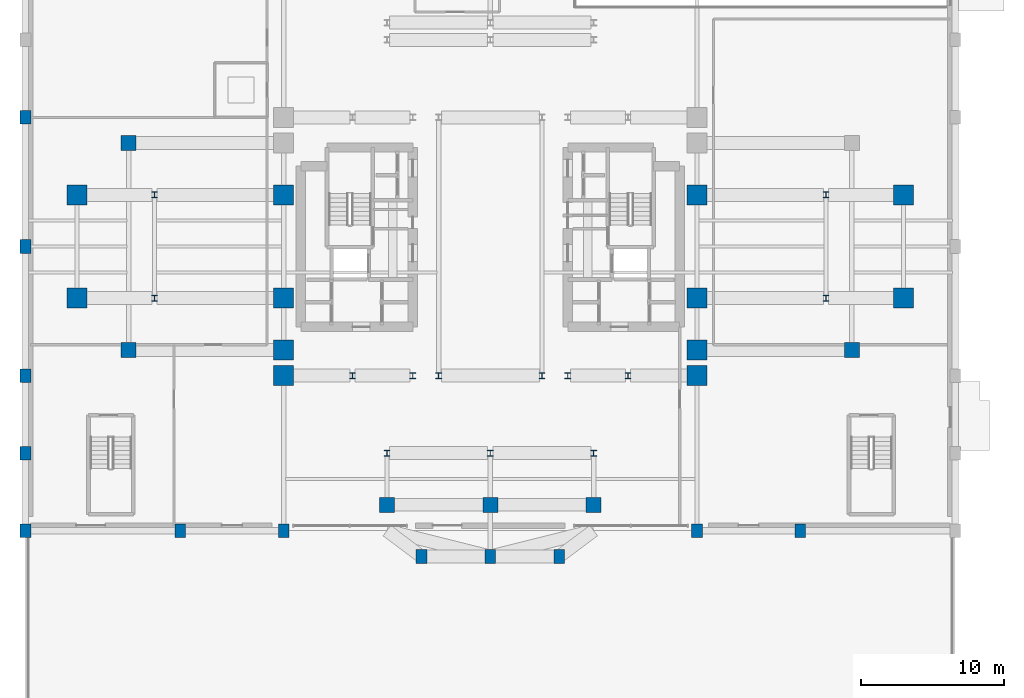
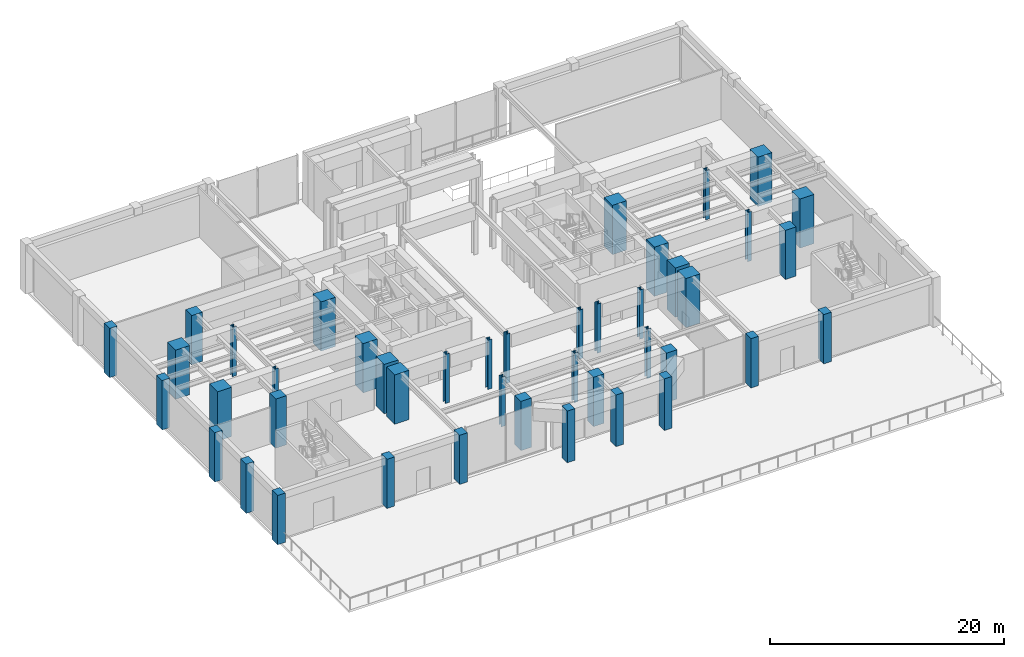
# One storey, part 1 of 17: 43 columns.
"""IFC4 building model written with IfcOpenShell, lengths in metres."""

from ifc_helpers import new_model, si_unit, direction, frame, origin, origin_2d, place, context, subcontext, project, spatial, rectangle, i_section, extrude, source, transform, mapped, material, material_profile, profile_set, type_object, element, save


model = new_model("IFC4")

# Units and contexts
model_context = context("Model", 3, precision=1e-05, world=origin(), true_north=direction((0.0, 1.0)))
body_context = subcontext(model_context, "Body", "Model", "MODEL_VIEW")
ifc_project = project(units=[si_unit("LENGTHUNIT", "METRE"), si_unit("AREAUNIT", "SQUARE_METRE"), si_unit("VOLUMEUNIT", "CUBIC_METRE"), si_unit("PLANEANGLEUNIT", "RADIAN"), si_unit("MASSUNIT", "GRAM", prefix="KILO")], contexts=[model_context])

# Site, building, storey
site_placement = place(None, origin())
site = spatial("IfcSite", under=ifc_project, at=site_placement, CompositionType="ELEMENT")
building_placement = place(site_placement, origin())
building = spatial("IfcBuilding", under=site, at=building_placement, Name="Keilestroom Media Tower", CompositionType="ELEMENT")
storey_placement = place(building_placement, origin())
storey = spatial("IfcBuildingStorey", under=building, at=storey_placement, Name="L00", CompositionType="ELEMENT", Elevation=0.0)

# Columns
ifc_material_1 = material(Name="Precast concrete C40/50", Category="concrete")
ifc_material_profile_1 = material_profile(ifc_material_1, rectangle(XDim=0.75, YDim=0.949951171875, at=origin_2d()), Name="PC 950x750")
ifc_profile_set_1 = profile_set([ifc_material_profile_1], Name="Precast concrete C40/50")
column_type_1 = type_object("IfcColumnType", Name="Structural-Column-PC-950x750", PredefinedType="COLUMN", material=ifc_profile_set_1)
shared_shape_1 = source(origin(), body_context, "Body", "SweptSolid", [
    extrude(rectangle(XDim=0.75, YDim=0.949951171875, at=origin_2d()), origin(), (0.0, 0.0, 1.0), 5.14990234375),
])
for number, where, z_axis, x_axis, name in (
    (1, (-32.39990234375, -19.800048828125, 0.0), (0.0, 0.0, 1.0), (1.0, 0.0, 0.0), "L00 Column PC-1 (-32.4,-19.8)"),
    (2, (-32.39990234375, -14.39990234375, 0.0), (0.0, 0.0, 1.0), (1.0, 0.0, 0.0), "L00 Column PC-1 (-32.4,-14.4)"),
    (3, (-32.39990234375, -9.0, 0.0), (0.0, 0.0, 1.0), (1.0, 0.0, 0.0), "L00 Column PC-1 (-32.4,-9.0)"),
    (4, (-32.39990234375, 0.0, 0.0), (0.0, 0.0, 1.0), (1.0, 0.0, 0.0), "L00 Column PC-1 (-32.4,+0.0)"),
    (5, (-32.39990234375, 9.0, 0.0), (0.0, 0.0, 1.0), (1.0, 0.0, 0.0), "L00 Column PC-1 (-32.4,+9.0)"),
    (6, (-21.60009765625, -19.800048828125, 0.0), (0.0, 0.0, 1.0), (1.0, 0.0, 0.0), "L00 Column PC-1 (-21.6,-19.8)"),
    (7, (-14.39990234375, -19.800048828125, 0.0), (0.0, 0.0, 1.0), (1.0, 0.0, 0.0), "L00 Column PC-1 (-14.4,-19.8)"),
    (8, (14.39990234375, -19.800048828125, 0.0), (0.0, 0.0, 1.0), (1.0, 0.0, 0.0), "L00 Column PC-1 (+14.4,-19.8)"),
    (9, (21.60009765625, -19.800048828125, 0.0), (0.0, 0.0, 1.0), (1.0, 0.0, 0.0), "L00 Column PC-1 (+21.6,-19.8)"),
):
    element("IfcColumn", number, at=place(storey_placement, frame(where, z_axis=z_axis, x_axis=x_axis)), inside=storey, type_object=column_type_1, Name=name, PredefinedType="COLUMN", context=body_context, shape_type="MappedRepresentation", body=[
        mapped(shared_shape_1, transform((0.0, 0.0, 0.0), x_axis=(1.0, 0.0, 0.0), y_axis=(0.0, 1.0, 0.0), z_axis=(0.0, 0.0, 1.0), scale=1.0)),
    ])
ifc_material_2 = material(Name="Concrete C70/85", Category="concrete")
ifc_material_profile_2 = material_profile(ifc_material_2, rectangle(XDim=1.39990234375, YDim=1.39990234375, at=origin_2d()), Name="RC 1400x1400")
ifc_profile_set_2 = profile_set([ifc_material_profile_2], Name="Concrete C70/85")
column_type_2 = type_object("IfcColumnType", Name="Structural-Column-RC-1400x1400", PredefinedType="COLUMN", material=ifc_profile_set_2)
shared_shape_2 = source(origin(), body_context, "Body", "SweptSolid", [
    extrude(rectangle(XDim=1.39990234375, YDim=1.39990234375, at=origin_2d()), origin(), (0.0, 0.0, 1.0), 5.14990234375),
])
for number, where, z_axis, x_axis, name in (
    (10, (-28.800048828125, -3.60009765625, 0.0), (0.0, 0.0, 1.0), (1.0, 0.0, 0.0), "L00 Column MC-1 (-28.8,-3.6)"),
    (11, (-28.800048828125, 3.60009765625, 0.0), (0.0, 0.0, 1.0), (1.0, 0.0, 0.0), "L00 Column MC-1 (-28.8,+3.6)"),
    (12, (-14.39990234375, -9.0, 0.0), (0.0, 0.0, 1.0), (1.0, 0.0, 0.0), "L00 Column MC-1 (-14.4,-9.0)"),
    (13, (-14.39990234375, -7.199951171875, 0.0), (0.0, 0.0, 1.0), (1.0, 0.0, 0.0), "L00 Column MC-1 (-14.4,-7.2)"),
    (14, (-14.39990234375, -3.60009765625, 0.0), (0.0, 0.0, 1.0), (1.0, 0.0, 0.0), "L00 Column MC-1 (-14.4,-3.6)"),
    (15, (-14.39990234375, 3.60009765625, 0.0), (0.0, 0.0, 1.0), (1.0, 0.0, 0.0), "L00 Column MC-1 (-14.4,+3.6)"),
    (16, (14.39990234375, -9.0, 0.0), (0.0, 0.0, 1.0), (1.0, 0.0, 0.0), "L00 Column MC-1 (+14.4,-9.0)"),
    (17, (14.39990234375, -7.199951171875, 0.0), (0.0, 0.0, 1.0), (1.0, 0.0, 0.0), "L00 Column MC-1 (+14.4,-7.2)"),
    (18, (14.39990234375, -3.60009765625, 0.0), (0.0, 0.0, 1.0), (1.0, 0.0, 0.0), "L00 Column MC-1 (+14.4,-3.6)"),
    (19, (14.39990234375, 3.60009765625, 0.0), (0.0, 0.0, 1.0), (1.0, 0.0, 0.0), "L00 Column MC-1 (+14.4,+3.6)"),
    (20, (28.800048828125, -3.60009765625, 0.0), (0.0, 0.0, 1.0), (1.0, 0.0, 0.0), "L00 Column MC-1 (+28.8,-3.6)"),
    (21, (28.800048828125, 3.60009765625, 0.0), (0.0, 0.0, 1.0), (1.0, 0.0, 0.0), "L00 Column MC-1 (+28.8,+3.6)"),
):
    element("IfcColumn", number, at=place(storey_placement, frame(where, z_axis=z_axis, x_axis=x_axis)), inside=storey, type_object=column_type_2, Name=name, PredefinedType="COLUMN", context=body_context, shape_type="MappedRepresentation", body=[
        mapped(shared_shape_2, transform((0.0, 0.0, 0.0), x_axis=(1.0, 0.0, 0.0), y_axis=(0.0, 1.0, 0.0), z_axis=(0.0, 0.0, 1.0), scale=1.0)),
    ])
ifc_material_3 = material(Name="Concrete C55/67", Category="concrete")
ifc_material_profile_3 = material_profile(ifc_material_3, rectangle(XDim=1.050048828125, YDim=1.050048828125, at=origin_2d()), Name="RC 1050x1050")
ifc_profile_set_3 = profile_set([ifc_material_profile_3], Name="Concrete C55/67")
column_type_3 = type_object("IfcColumnType", Name="Structural-Column-RC-1050x1050", PredefinedType="COLUMN", material=ifc_profile_set_3)
shared_shape_3 = source(origin(), body_context, "Body", "SweptSolid", [
    extrude(rectangle(XDim=1.050048828125, YDim=1.050048828125, at=origin_2d()), origin(), (0.0, 0.0, 1.0), 5.14990234375),
])
for number, where, z_axis, x_axis, name in (
    (22, (-25.199951171875, -7.199951171875, 0.0), (0.0, 0.0, 1.0), (1.0, 0.0, 0.0), "L00 Column MC-3 (-25.2,-7.2)"),
    (23, (-25.199951171875, 7.199951171875, 0.0), (0.0, 0.0, 1.0), (1.0, 0.0, 0.0), "L00 Column MC-3 (-25.2,+7.2)"),
    (24, (-7.199951171875, -18.0, 0.0), (0.0, 0.0, 1.0), (1.0, 0.0, 0.0), "L00 Column MC-3 (-7.2,-18.0)"),
    (25, (0.0, -18.0, 0.0), (0.0, 0.0, 1.0), (1.0, 0.0, 0.0), "L00 Column MC-3 (+0.0,-18.0)"),
    (26, (7.199951171875, -18.0, 0.0), (0.0, 0.0, 1.0), (1.0, 0.0, 0.0), "L00 Column MC-3 (+7.2,-18.0)"),
    (27, (25.199951171875, -7.199951171875, 0.0), (0.0, 0.0, 1.0), (1.0, 0.0, 0.0), "L00 Column MC-3 (+25.2,-7.2)"),
):
    element("IfcColumn", number, at=place(storey_placement, frame(where, z_axis=z_axis, x_axis=x_axis)), inside=storey, type_object=column_type_3, Name=name, PredefinedType="COLUMN", context=body_context, shape_type="MappedRepresentation", body=[
        mapped(shared_shape_3, transform((0.0, 0.0, 0.0), x_axis=(1.0, 0.0, 0.0), y_axis=(0.0, 1.0, 0.0), z_axis=(0.0, 0.0, 1.0), scale=1.0)),
    ])
ifc_material_4 = material(Name="Steel S460", Category="steel")
ifc_material_profile_4 = material_profile(ifc_material_4, i_section(OverallWidth=0.406005859375, OverallDepth=0.416015625, WebThickness=0.02392578125, FlangeThickness=0.0390625, at=origin_2d()), Name="HD 400x382")
ifc_profile_set_4 = profile_set([ifc_material_profile_4], Name="Steel S460")
column_type_4 = type_object("IfcColumnType", Name="Structural-Column-HD-400x382", PredefinedType="COLUMN", material=ifc_profile_set_4)
shared_shape_4 = source(origin(), body_context, "Body", "SweptSolid", [
    extrude(i_section(OverallWidth=0.406005859375, OverallDepth=0.416015625, WebThickness=0.02392578125, FlangeThickness=0.0390625, at=origin_2d()), origin(), (0.0, 0.0, 1.0), 5.14990234375),
])
for number, where, z_axis, x_axis, name in (
    (28, (-23.39990234375, -3.60009765625, 0.0), (0.0, 0.0, 1.0), (1.0, 0.0, 0.0), "L00 Column SC-1 (-23.4,-3.6)"),
    (29, (-23.39990234375, 3.60009765625, 0.0), (0.0, 0.0, 1.0), (1.0, 0.0, 0.0), "L00 Column SC-1 (-23.4,+3.6)"),
    (30, (-9.60009765625, -9.0, 0.0), (0.0, 0.0, 1.0), (1.0, 0.0, 0.0), "L00 Column SC-1 (-9.6,-9.0)"),
    (31, (-7.199951171875, -14.39990234375, 0.0), (0.0, 0.0, 1.0), (1.0, 0.0, 0.0), "L00 Column SC-1 (-7.2,-14.4)"),
    (32, (-5.39990234375, -9.0, 0.0), (0.0, 0.0, 1.0), (1.0, 0.0, 0.0), "L00 Column SC-1 (-5.4,-9.0)"),
    (33, (-3.60009765625, -9.0, 0.0), (0.0, 0.0, 1.0), (1.0, 0.0, 0.0), "L00 Column SC-1 (-3.6,-9.0)"),
    (34, (0.0, -14.39990234375, 0.0), (0.0, 0.0, 1.0), (1.0, 0.0, 0.0), "L00 Column SC-1 (+0.0,-14.4)"),
    (35, (3.60009765625, -9.0, 0.0), (0.0, 0.0, 1.0), (1.0, 0.0, 0.0), "L00 Column SC-1 (+3.6,-9.0)"),
    (36, (5.39990234375, -9.0, 0.0), (0.0, 0.0, 1.0), (1.0, 0.0, 0.0), "L00 Column SC-1 (+5.4,-9.0)"),
    (37, (7.199951171875, -14.39990234375, 0.0), (0.0, 0.0, 1.0), (1.0, 0.0, 0.0), "L00 Column SC-1 (+7.2,-14.4)"),
    (38, (9.60009765625, -9.0, 0.0), (0.0, 0.0, 1.0), (1.0, 0.0, 0.0), "L00 Column SC-1 (+9.6,-9.0)"),
    (39, (23.39990234375, -3.60009765625, 0.0), (0.0, 0.0, 1.0), (1.0, 0.0, 0.0), "L00 Column SC-1 (+23.4,-3.6)"),
    (40, (23.39990234375, 3.60009765625, 0.0), (0.0, 0.0, 1.0), (1.0, 0.0, 0.0), "L00 Column SC-1 (+23.4,+3.6)"),
):
    element("IfcColumn", number, at=place(storey_placement, frame(where, z_axis=z_axis, x_axis=x_axis)), inside=storey, type_object=column_type_4, Name=name, PredefinedType="COLUMN", context=body_context, shape_type="MappedRepresentation", body=[
        mapped(shared_shape_4, transform((0.0, 0.0, 0.0), x_axis=(1.0, 0.0, 0.0), y_axis=(0.0, 1.0, 0.0), z_axis=(0.0, 0.0, 1.0), scale=1.0)),
    ])
shared_shape_5 = source(origin(), body_context, "Body", "SweptSolid", [
    extrude(rectangle(XDim=0.75, YDim=0.949951171875, at=origin_2d()), origin(), (0.0, 0.0, 1.0), 5.39990234375),
])
for number, where, z_axis, x_axis, name in (
    (41, (-4.800048828125, -21.60009765625, 0.0), (0.0, 0.0, 1.0), (1.0, 0.0, 0.0), "L00 Column PC-1 (-4.8,-21.6)"),
    (42, (0.0, -21.60009765625, 0.0), (0.0, 0.0, 1.0), (1.0, 0.0, 0.0), "L00 Column PC-1 (+0.0,-21.6)"),
    (43, (4.800048828125, -21.60009765625, 0.0), (0.0, 0.0, 1.0), (1.0, 0.0, 0.0), "L00 Column PC-1 (+4.8,-21.6)"),
):
    element("IfcColumn", number, at=place(storey_placement, frame(where, z_axis=z_axis, x_axis=x_axis)), inside=storey, type_object=column_type_1, Name=name, PredefinedType="COLUMN", context=body_context, shape_type="MappedRepresentation", body=[
        mapped(shared_shape_5, transform((0.0, 0.0, 0.0), x_axis=(1.0, 0.0, 0.0), y_axis=(0.0, 1.0, 0.0), z_axis=(0.0, 0.0, 1.0), scale=1.0)),
    ])

save(model, "model.ifc")
